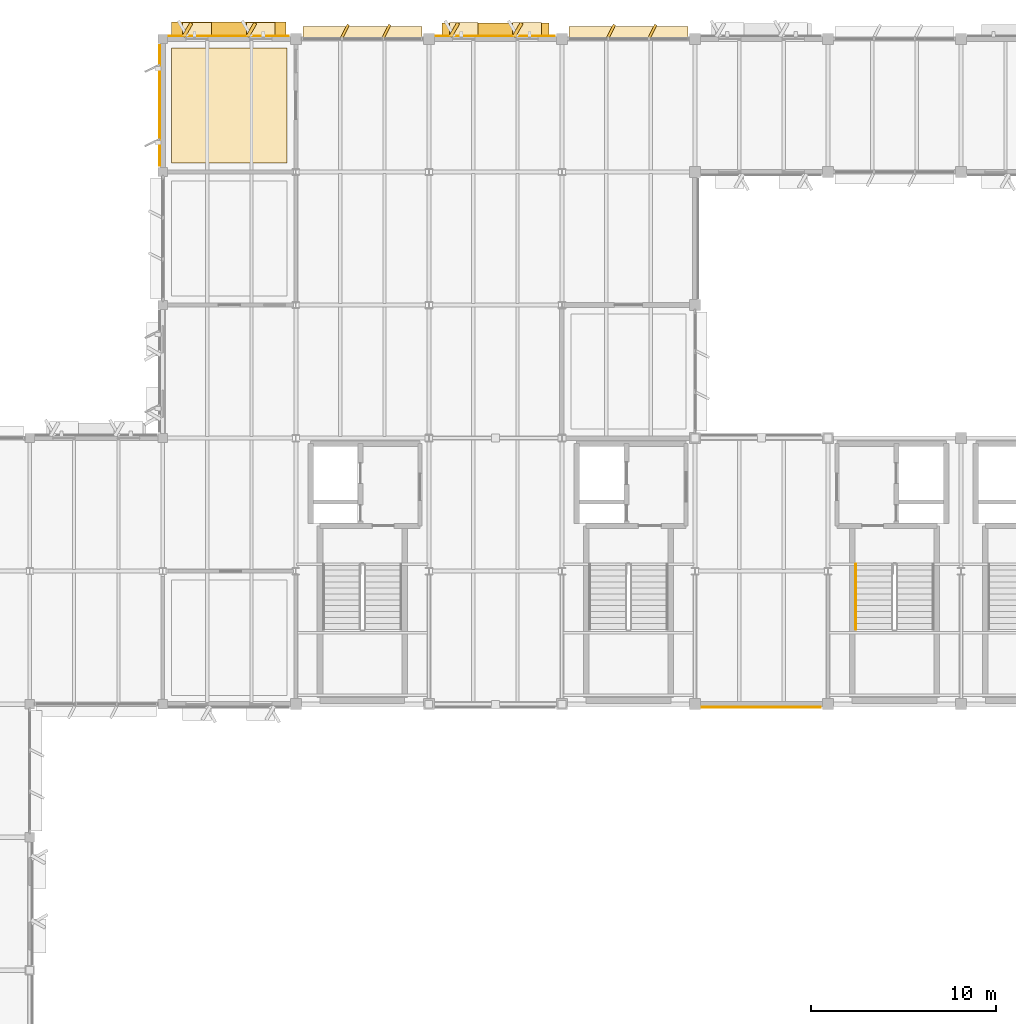
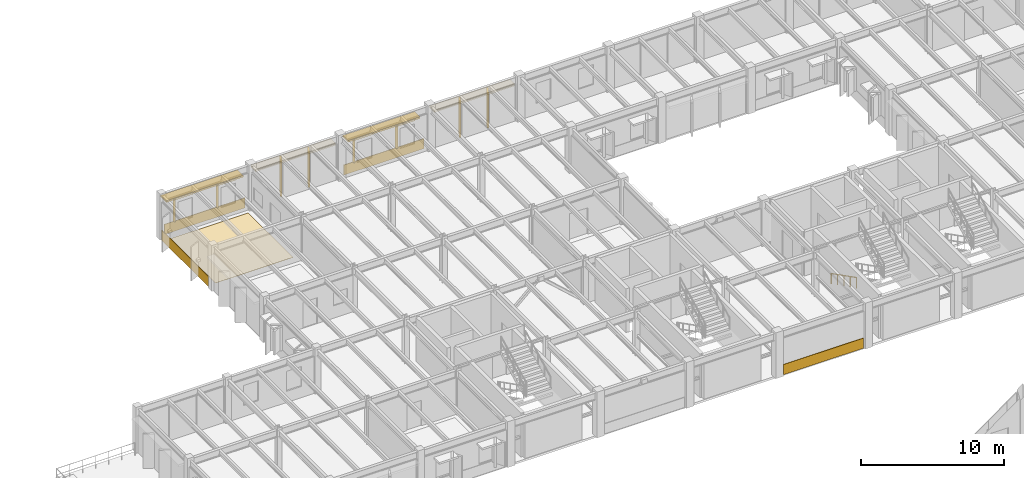
# One storey, part 79 of 82: 19 coverings, 2 shading devices, 1 railing.
"""IFC4 building model written with IfcOpenShell, lengths in metres."""

import ifcopenshell
import ifcopenshell.guid

model = None  # the IFC model being written
_history = None  # IfcOwnerHistory: only IFC2X3 demands one
_inside = {}  # id of a spatial element -> (the spatial element, [elements in it])
_under = {}  # id of a project, library or spatial element -> (it, [spatial elements below it])
_declared = {}  # id of a project -> (the project, [libraries it declares])
_typed = {}  # id of a type object -> (the type object, [elements of that type])
_made_of = {}  # id of a material, layer set ... -> (it, [elements and type objects made of it])


def new_model(schema):
    """Start an empty IFC model of exactly this schema.

    Asked for "IFC4X3", IfcOpenShell would pick the latest addendum, in which some entities
    have other attributes; the version numbers below select the first issue.
    IFC2X3 requires an IfcOwnerHistory on every rooted entity: one is made here for all.
    """
    global model, _history
    if schema == "IFC4X3":
        model = ifcopenshell.file(schema_version=(4, 3, 0, 0))
    else:
        model = ifcopenshell.file(schema=schema)
    _inside.clear()
    _under.clear()
    _declared.clear()
    _typed.clear()
    _made_of.clear()
    _history = None
    if model.schema == "IFC2X3":
        org = make("IfcOrganization", Name="unknown")
        user = make(
            "IfcPersonAndOrganization",
            ThePerson=make("IfcPerson", FamilyName="unknown"),
            TheOrganization=org,
        )
        app = make(
            "IfcApplication",
            ApplicationDeveloper=org,
            Version="unknown",
            ApplicationFullName="unknown",
            ApplicationIdentifier="unknown",
        )
        _history = make(
            "IfcOwnerHistory",
            OwningUser=user,
            OwningApplication=app,
            ChangeAction="ADDED",
            CreationDate=0,
        )
    return model


def make(cls, **values):
    """One entity of the class cls with the attributes given. An attribute that is None is left unset."""
    return model.create_entity(
        cls, **{name: value for name, value in values.items() if value is not None}
    )


def rooted(cls, **values):
    """An entity with a GlobalId (a new one), such as an element, a storey or a relation."""
    return make(cls, GlobalId=ifcopenshell.guid.new(), OwnerHistory=_history, **values)


def si_unit(unit_type, name, prefix=None):
    """IfcSIUnit, for example si_unit("LENGTHUNIT", "METRE", prefix="MILLI")."""
    return make("IfcSIUnit", UnitType=unit_type, Prefix=prefix, Name=name)


def assignment(units):
    """IfcUnitAssignment: the units of a project."""
    return None if units is None else make("IfcUnitAssignment", Units=units)


def point(xyz):
    """IfcCartesianPoint."""
    return None if xyz is None else make("IfcCartesianPoint", Coordinates=xyz)


def direction(xyz):
    """IfcDirection."""
    return None if xyz is None else make("IfcDirection", DirectionRatios=xyz)


def frame(location, z_axis=None, x_axis=None):
    """IfcAxis2Placement3D, a coordinate frame: its origin and axes. An axis left out is left unset."""
    return make(
        "IfcAxis2Placement3D",
        Location=point(location),
        Axis=direction(z_axis),
        RefDirection=direction(x_axis),
    )


def frame_2d(location, x_axis=None):
    """IfcAxis2Placement2D, a coordinate frame in the plane: its origin and x axis."""
    return make(
        "IfcAxis2Placement2D", Location=point(location), RefDirection=direction(x_axis)
    )


def origin():
    """The frame at (0, 0, 0) with its axes left unset."""
    return frame((0.0, 0.0, 0.0))


def origin_2d():
    """The frame at (0, 0) in the plane with its x axis left unset."""
    return frame_2d((0.0, 0.0))


def place(relative_to, where):
    """IfcLocalPlacement: puts the frame where relative to a parent placement (None: the world)."""
    return make(
        "IfcLocalPlacement", PlacementRelTo=relative_to, RelativePlacement=where
    )


def context(
    kind, dimensions, precision=None, world=None, true_north=None, identifier=None
):
    """IfcGeometricRepresentationContext, for example the 3D "Model" context."""
    return make(
        "IfcGeometricRepresentationContext",
        ContextIdentifier=identifier,
        ContextType=kind,
        CoordinateSpaceDimension=dimensions,
        Precision=precision,
        WorldCoordinateSystem=world,
        TrueNorth=true_north,
    )


def subcontext(parent, identifier, kind, view, scale=None):
    """IfcGeometricRepresentationSubContext, for example "Body" below "Model"."""
    return make(
        "IfcGeometricRepresentationSubContext",
        ContextIdentifier=identifier,
        ContextType=kind,
        ParentContext=parent,
        TargetScale=scale,
        TargetView=view,
    )


def project(units=None, contexts=None):
    """IfcProject with its units and contexts."""
    return rooted(
        "IfcProject",
        Name="project",
        RepresentationContexts=contexts,
        UnitsInContext=assignment(units),
    )


def spatial(cls, under=None, at=None, **own):
    """A site, building, storey or space (cls), placed at a placement, below another one or the project."""
    s = rooted(cls, ObjectPlacement=at, **own)
    if under is not None:
        _under.setdefault(under.id(), (under, []))[1].append(s)
    return s


def polyline(points):
    """IfcPolyline through the points."""
    return make("IfcPolyline", Points=[point(p) for p in points])


def profile(cls, at=None, kind="AREA", **sizes):
    """A parametric profile (cls). Its sizes go by their IFC names, for example OverallWidth=200.0."""
    return make(cls, ProfileType=kind, Position=at, **sizes)


def rectangle(**sizes):
    """IfcRectangleProfileDef."""
    return profile("IfcRectangleProfileDef", **sizes)


def circle(**sizes):
    """IfcCircleProfileDef."""
    return profile("IfcCircleProfileDef", **sizes)


def outline(outer, holes=None, kind="AREA"):
    """IfcArbitraryClosedProfileDef: a profile drawn as a closed curve; with holes, ...WithVoids."""
    if holes is None:
        return make("IfcArbitraryClosedProfileDef", ProfileType=kind, OuterCurve=outer)
    return make(
        "IfcArbitraryProfileDefWithVoids",
        ProfileType=kind,
        OuterCurve=outer,
        InnerCurves=holes,
    )


def extrude(swept, where, along, depth):
    """IfcExtrudedAreaSolid: the profile swept, set in the frame where, extruded along a direction by depth."""
    return make(
        "IfcExtrudedAreaSolid",
        SweptArea=swept,
        Position=where,
        ExtrudedDirection=direction(along),
        Depth=depth,
    )


def shape(context_of_items, identifier, shape_type, items):
    """IfcShapeRepresentation: the items that make up one representation, for example the "Body"."""
    return make(
        "IfcShapeRepresentation",
        ContextOfItems=context_of_items,
        RepresentationIdentifier=identifier,
        RepresentationType=shape_type,
        Items=items,
    )


def material(Name=None, Category=None):
    """IfcMaterial."""
    return make("IfcMaterial", Name=Name, Category=Category)


def layer(
    of_material, thickness, ventilated=None, Name=None, Category=None, Priority=None
):
    """IfcMaterialLayer: one layer of a wall or slab, of a material (None: an air gap)."""
    return make(
        "IfcMaterialLayer",
        Material=of_material,
        LayerThickness=thickness,
        IsVentilated=ventilated,
        Name=Name,
        Category=Category,
        Priority=Priority,
    )


def layer_set(layers, Name=None):
    """IfcMaterialLayerSet."""
    return make("IfcMaterialLayerSet", MaterialLayers=layers, LayerSetName=Name)


def made_of(thing, what):
    """Note that an element or type object is made of a material, layer set ...; save() writes the relation."""
    if what is not None:
        _made_of.setdefault(what.id(), (what, []))[1].append(thing)
    return thing


def type_object(cls, material=None, **own):
    """A type object (cls), such as IfcWallType, which elements share."""
    return made_of(rooted(cls, **own), material)


def element(
    cls,
    number,
    at=None,
    inside=None,
    cuts=None,
    type_object=None,
    material=None,
    context=None,
    identifier="Body",
    shape_type=None,
    held_by="IfcProductDefinitionShape",
    body=None,
    shapes=None,
    **own,
):
    """One element of the class cls, such as IfcWall. Its Tag is "e" and its number.

    at: its placement. inside: the storey or other place that contains it. cuts: it is an
    opening in that element (IfcRelVoidsElement). A single representation is given by context,
    identifier, shape_type and body (its items); several are given by shapes. held_by: the class
    of the entity that holds the representations. save() writes the other relations.
    """
    e = rooted(cls, Tag="e%d" % number, ObjectPlacement=at, **own)
    if body is not None:
        shapes = [shape(context, identifier, shape_type, body)]
    if shapes is not None:
        e.Representation = make(held_by, Representations=shapes)
    if inside is not None:
        _inside.setdefault(inside.id(), (inside, []))[1].append(e)
    if cuts is not None:
        rooted(
            "IfcRelVoidsElement", RelatingBuildingElement=cuts, RelatedOpeningElement=e
        )
    if type_object is not None:
        _typed.setdefault(type_object.id(), (type_object, []))[1].append(e)
    return made_of(e, material)


def aggregate(whole, parts):
    """IfcRelAggregates: a whole, such as a stair, and the parts it consists of."""
    return rooted("IfcRelAggregates", RelatingObject=whole, RelatedObjects=parts)


def save(model, path):
    """Write the relations noted so far, then the file.

    IfcRelAggregates (storeys below a building ...), IfcRelContainedInSpatialStructure (elements
    in a storey), IfcRelDefinesByType, IfcRelAssociatesMaterial and IfcRelDeclares: one each for
    every whole, place, type object, material and project.
    """
    for whole, parts in _under.values():
        aggregate(whole, parts)
    for where, things in _inside.values():
        rooted(
            "IfcRelContainedInSpatialStructure",
            RelatedElements=things,
            RelatingStructure=where,
        )
    for kind, things in _typed.values():
        rooted("IfcRelDefinesByType", RelatedObjects=things, RelatingType=kind)
    for what, things in _made_of.values():
        rooted("IfcRelAssociatesMaterial", RelatedObjects=things, RelatingMaterial=what)
    for by, libraries in _declared.values():
        rooted("IfcRelDeclares", RelatingContext=by, RelatedDefinitions=libraries)
    model.write(path)


model = new_model("IFC4")

# Units and contexts
model_context = context("Model", 3, precision=1e-05, world=origin(), true_north=direction((0.0, 1.0)))
body_context = subcontext(model_context, "Body", "Model", "MODEL_VIEW")
ifc_project = project(units=[si_unit("LENGTHUNIT", "METRE"), si_unit("AREAUNIT", "SQUARE_METRE"), si_unit("VOLUMEUNIT", "CUBIC_METRE"), si_unit("PLANEANGLEUNIT", "RADIAN"), si_unit("MASSUNIT", "GRAM", prefix="KILO")], contexts=[model_context])

# Site, building, storey
site_placement = place(None, origin())
site = spatial("IfcSite", under=ifc_project, at=site_placement, CompositionType="ELEMENT")
building_placement = place(site_placement, origin())
building = spatial("IfcBuilding", under=site, at=building_placement, Name="Sillqori Civic Hall", CompositionType="ELEMENT")
storey_placement = place(building_placement, frame((0.0, 0.0, 14.10009765625)))
storey = spatial("IfcBuildingStorey", under=building, at=storey_placement, Name="L04", CompositionType="ELEMENT", Elevation=14.10009765625)

# Coverings
ifc_material_1 = material(Name="Cochabamba Honed Limestone Cladding", Category="masonry")
ifc_layer_1 = layer(ifc_material_1, 0.044921875)
ifc_layer_set_1 = layer_set([ifc_layer_1], Name="Cochabamba Honed Limestone Cladding")
covering_type_1 = type_object("IfcCoveringType", Name="COV-CLAD-LIME", PredefinedType="CLADDING", material=ifc_layer_set_1)
covering_1_placement = place(storey_placement, frame((43.530029296875, 115.360107421875, 0.039794921875), z_axis=(0.0, 0.0, 1.0), x_axis=(1.0, 0.0, 0.0)))
element("IfcCovering", 1, at=covering_1_placement, inside=storey, type_object=covering_type_1, Name="L04 limestone spandrel cladding L04-06-15-N", PredefinedType="CLADDING", context=body_context, shape_type="SweptSolid", body=[
    extrude(rectangle(XDim=6.489990234375, YDim=0.044921875, at=frame_2d((3.2451171875, 0.0))), origin(), (0.0, 0.0, 1.0), 0.860107421875),
])
covering_2_placement = place(storey_placement, frame((44.325927734375, 115.320068359375, 0.829833984375), z_axis=(0.0, 0.0, 1.0), x_axis=(0.500062241894, 0.865989465428, 0.0)))
element("IfcCovering", 2, at=covering_2_placement, inside=storey, type_object=covering_type_1, Name="Sawtooth limestone angled reveal cheek L04-06-15-N.1", PredefinedType="CLADDING", context=body_context, shape_type="SweptSolid", body=[
    extrude(rectangle(XDim=0.85009765625, YDim=0.179931640625, at=frame_2d((0.425048828125, 0.0))), origin(), (0.0, 0.0, 1.0), 2.0),
])
covering_3_placement = place(storey_placement, frame((44.26611328125, 115.699951171875, 2.68994140625), z_axis=(0.0, 0.0, 1.0), x_axis=(1.0, 0.0, 0.0)))
element("IfcCovering", 3, at=covering_3_placement, inside=storey, type_object=covering_type_1, Name="Sawtooth limestone window hood L04-06-15-N.1", PredefinedType="CLADDING", context=body_context, shape_type="SweptSolid", body=[
    extrude(rectangle(XDim=1.559814453125, YDim=0.780029296875, at=frame_2d((0.77978515625, 0.0))), origin(), (0.0, 0.0, 1.0), 0.139892578125),
])
covering_4_placement = place(storey_placement, frame((47.783935546875, 115.320068359375, 0.829833984375), z_axis=(0.0, 0.0, 1.0), x_axis=(0.500062241894, 0.865989465428, 0.0)))
element("IfcCovering", 4, at=covering_4_placement, inside=storey, type_object=covering_type_1, Name="Sawtooth limestone angled reveal cheek L04-06-15-N.2", PredefinedType="CLADDING", context=body_context, shape_type="SweptSolid", body=[
    extrude(rectangle(XDim=0.85009765625, YDim=0.179931640625, at=frame_2d((0.425048828125, 0.0))), origin(), (0.0, 0.0, 1.0), 2.0),
])
covering_5_placement = place(storey_placement, frame((47.72412109375, 115.699951171875, 2.68994140625), z_axis=(0.0, 0.0, 1.0), x_axis=(1.0, 0.0, 0.0)))
element("IfcCovering", 5, at=covering_5_placement, inside=storey, type_object=covering_type_1, Name="Sawtooth limestone window hood L04-06-15-N.2", PredefinedType="CLADDING", context=body_context, shape_type="SweptSolid", body=[
    extrude(rectangle(XDim=1.559814453125, YDim=0.780029296875, at=frame_2d((0.77978515625, 0.0))), origin(), (0.0, 0.0, 1.0), 0.139892578125),
])
covering_6_placement = place(storey_placement, frame((43.0400390625, 108.330078125, 0.039794921875), z_axis=(0.0, 0.0, 1.0), x_axis=(0.0, 1.0, 0.0)))
element("IfcCovering", 6, at=covering_6_placement, inside=storey, type_object=covering_type_1, Name="L04 limestone spandrel cladding L04-06-15-W", PredefinedType="CLADDING", context=body_context, shape_type="SweptSolid", body=[
    extrude(rectangle(XDim=6.5400390625, YDim=0.044921875, at=frame_2d((3.27001953125, 0.0))), origin(), (0.0, 0.0, 1.0), 0.860107421875),
])
covering_7_placement = place(storey_placement, frame((50.780029296875, 115.52001953125, 2.93798828125), z_axis=(0.0, 0.0, 1.0), x_axis=(1.0, 0.0, 0.0)))
element("IfcCovering", 7, at=covering_7_placement, inside=storey, type_object=covering_type_1, Name="L04 curtain-wall limestone solar hood L04-07-15-N", PredefinedType="CLADDING", context=body_context, shape_type="SweptSolid", body=[
    extrude(rectangle(XDim=6.43994140625, YDim=0.679931640625, at=frame_2d((3.219970703125, 0.0))), origin(), (0.0, 0.0, 1.0), 0.179931640625),
])
for number, where, z_axis, x_axis, name in (
    (8, (52.8779296875, 115.25, 0.059814453125), (0.0, 0.0, 1.0), (0.447334902547, 0.894366527193, 0.0), "L04 curtain-wall angled stone fin L04-07-15-N.1"),
    (9, (55.1220703125, 115.25, 0.059814453125), (0.0, 0.0, 1.0), (0.44709226377, 0.894487846579, 0.0), "L04 curtain-wall angled stone fin L04-07-15-N.2"),
):
    element("IfcCovering", number, at=place(storey_placement, frame(where, z_axis=z_axis, x_axis=x_axis)), inside=storey, type_object=covering_type_1, Name=name, PredefinedType="CLADDING", context=body_context, shape_type="SweptSolid", body=[
        extrude(rectangle(XDim=0.804931640625, YDim=0.139892578125, at=frame_2d((0.40234375, 0.0))), origin(), (0.0, 0.0, 1.0), 2.878173828125),
    ])
covering_8_placement = place(storey_placement, frame((57.97998046875, 115.360107421875, 0.039794921875), z_axis=(0.0, 0.0, 1.0), x_axis=(1.0, 0.0, 0.0)))
element("IfcCovering", 10, at=covering_8_placement, inside=storey, type_object=covering_type_1, Name="L04 limestone spandrel cladding L04-08-15-N", PredefinedType="CLADDING", context=body_context, shape_type="SweptSolid", body=[
    extrude(rectangle(XDim=6.43994140625, YDim=0.044921875, at=frame_2d((3.219970703125, 0.0))), origin(), (0.0, 0.0, 1.0), 0.860107421875),
])
covering_9_placement = place(storey_placement, frame((58.763916015625, 115.320068359375, 0.829833984375), z_axis=(0.0, 0.0, 1.0), x_axis=(0.500062241894, 0.865989465428, 0.0)))
element("IfcCovering", 11, at=covering_9_placement, inside=storey, type_object=covering_type_1, Name="Sawtooth limestone angled reveal cheek L04-08-15-N.1", PredefinedType="CLADDING", context=body_context, shape_type="SweptSolid", body=[
    extrude(rectangle(XDim=0.85009765625, YDim=0.179931640625, at=frame_2d((0.425048828125, 0.0))), origin(), (0.0, 0.0, 1.0), 2.0),
])
covering_10_placement = place(storey_placement, frame((58.7041015625, 115.699951171875, 2.68994140625), z_axis=(0.0, 0.0, 1.0), x_axis=(1.0, 0.0, 0.0)))
element("IfcCovering", 12, at=covering_10_placement, inside=storey, type_object=covering_type_1, Name="Sawtooth limestone window hood L04-08-15-N.1", PredefinedType="CLADDING", context=body_context, shape_type="SweptSolid", body=[
    extrude(rectangle(XDim=1.559814453125, YDim=0.780029296875, at=frame_2d((0.77978515625, 0.0))), origin(), (0.0, 0.0, 1.0), 0.139892578125),
])
covering_11_placement = place(storey_placement, frame((62.196044921875, 115.320068359375, 0.829833984375), z_axis=(0.0, 0.0, 1.0), x_axis=(0.500062241894, 0.865989465428, 0.0)))
element("IfcCovering", 13, at=covering_11_placement, inside=storey, type_object=covering_type_1, Name="Sawtooth limestone angled reveal cheek L04-08-15-N.2", PredefinedType="CLADDING", context=body_context, shape_type="SweptSolid", body=[
    extrude(rectangle(XDim=0.85009765625, YDim=0.179931640625, at=frame_2d((0.425048828125, 0.0))), origin(), (0.0, 0.0, 1.0), 2.0),
])
covering_12_placement = place(storey_placement, frame((62.135986328125, 115.699951171875, 2.68994140625), z_axis=(0.0, 0.0, 1.0), x_axis=(1.0, 0.0, 0.0)))
element("IfcCovering", 14, at=covering_12_placement, inside=storey, type_object=covering_type_1, Name="Sawtooth limestone window hood L04-08-15-N.2", PredefinedType="CLADDING", context=body_context, shape_type="SweptSolid", body=[
    extrude(rectangle(XDim=1.56005859375, YDim=0.780029296875, at=frame_2d((0.780029296875, 0.0))), origin(), (0.0, 0.0, 1.0), 0.139892578125),
])
covering_13_placement = place(storey_placement, frame((65.179931640625, 115.52001953125, 2.93798828125), z_axis=(0.0, 0.0, 1.0), x_axis=(1.0, 0.0, 0.0)))
element("IfcCovering", 15, at=covering_13_placement, inside=storey, type_object=covering_type_1, Name="L04 curtain-wall limestone solar hood L04-09-15-N", PredefinedType="CLADDING", context=body_context, shape_type="SweptSolid", body=[
    extrude(rectangle(XDim=6.440185546875, YDim=0.679931640625, at=frame_2d((3.22021484375, 0.0))), origin(), (0.0, 0.0, 1.0), 0.179931640625),
])
for number, where, z_axis, x_axis, name in (
    (16, (67.278076171875, 115.25, 0.059814453125), (0.0, 0.0, 1.0), (0.44709226377, 0.894487846579, 0.0), "L04 curtain-wall angled stone fin L04-09-15-N.1"),
    (17, (69.52197265625, 115.25, 0.059814453125), (0.0, 0.0, 1.0), (0.447334902547, 0.894366527193, 0.0), "L04 curtain-wall angled stone fin L04-09-15-N.2"),
):
    element("IfcCovering", number, at=place(storey_placement, frame(where, z_axis=z_axis, x_axis=x_axis)), inside=storey, type_object=covering_type_1, Name=name, PredefinedType="CLADDING", context=body_context, shape_type="SweptSolid", body=[
        extrude(rectangle(XDim=0.804931640625, YDim=0.139892578125, at=frame_2d((0.40234375, 0.0))), origin(), (0.0, 0.0, 1.0), 2.878173828125),
    ])
covering_14_placement = place(storey_placement, frame((78.820068359375, 79.0400390625, 0.039794921875), z_axis=(0.0, 0.0, 1.0), x_axis=(-1.0, 0.0, 0.0)))
element("IfcCovering", 18, at=covering_14_placement, inside=storey, type_object=covering_type_1, Name="L04 limestone spandrel cladding L04-10-11-S", PredefinedType="CLADDING", context=body_context, shape_type="SweptSolid", body=[
    extrude(rectangle(XDim=6.440185546875, YDim=0.044921875, at=frame_2d((3.22021484375, 0.0))), origin(), (0.0, 0.0, 1.0), 0.860107421875),
])
ifc_material_2 = material(Name="Engineered Tajibo Hardwood Flooring", Category="wood")
ifc_layer_2 = layer(ifc_material_2, 0.02587890625)
ifc_layer_set_2 = layer_set([ifc_layer_2], Name="Engineered Tajibo Hardwood Flooring")
covering_type_2 = type_object("IfcCoveringType", Name="COV-FLR-PRQ", PredefinedType="FLOORING", material=ifc_layer_set_2)
covering_15_placement = place(storey_placement, origin())
element("IfcCovering", 19, at=covering_15_placement, inside=storey, type_object=covering_type_2, Name="Human Resources and Civil Service Training Hall floor finish", PredefinedType="FLOORING", context=body_context, shape_type="SweptSolid", body=[
    extrude(outline(polyline([(43.679931640625, 108.47998046875), (49.919921875, 108.47998046875), (49.919921875, 114.719970703125), (43.679931640625, 114.719970703125), (43.679931640625, 108.47998046875)])), origin(), (0.0, 0.0, 1.0), 0.02587890625),
])

# Railing
ifc_material_3 = material(Name="Brushed Stainless Steel 316 Handrail", Category="steel")
ifc_layer_3 = layer(ifc_material_3, 0.044921875)
ifc_layer_set_3 = layer_set([ifc_layer_3], Name="Brushed Stainless Steel 316 Handrail")
railing_type = type_object("IfcRailingType", Name="RLG-CORE-092", PredefinedType="HANDRAIL", material=ifc_layer_set_3)
railing_placement = place(storey_placement, frame((80.7099609375, 86.77001953125, 0.162353515625)))
element("IfcRailing", 20, at=railing_placement, inside=storey, type_object=railing_type, Name="L04 ST-07 stair handrail 1", PredefinedType="HANDRAIL", context=body_context, shape_type="SweptSolid", body=[
    extrude(circle(Radius=0.02392578125, at=origin_2d()), frame((0.0, 0.0, 0.8759765625), z_axis=(0.0, -0.891614535321, 0.452795230103), x_axis=(1.0, 0.0, 0.0)), (0.0, 0.0, 1.0), 3.947998046875),
    extrude(circle(Radius=0.02099609375, at=origin_2d()), origin(), (0.0, 0.0, 1.0), 0.851806640625),
    extrude(circle(Radius=0.02099609375, at=origin_2d()), frame((0.0, -0.8798828125, 0.44677734375)), (0.0, 0.0, 1.0), 0.851806640625),
    extrude(circle(Radius=0.02099609375, at=origin_2d()), frame((0.0, -1.760009765625, 0.893798828125)), (0.0, 0.0, 1.0), 0.851806640625),
    extrude(circle(Radius=0.02099609375, at=origin_2d()), frame((0.0, -2.64013671875, 1.3408203125)), (0.0, 0.0, 1.0), 0.851806640625),
    extrude(circle(Radius=0.02099609375, at=origin_2d()), frame((0.0, -3.52001953125, 1.78759765625)), (0.0, 0.0, 1.0), 0.851806640625),
])

# Shading devices
ifc_material_4 = material(Name="Anodized Aluminium Solar Control Louvre", Category="aluminium")
shading_device_type_1 = type_object("IfcShadingDeviceType", Name="SHD-HOOD-580", PredefinedType="JALOUSIE", material=ifc_material_4)
shading_device_1_placement = place(storey_placement, frame((61.199951171875, 115.699951171875, 2.7197265625), z_axis=(0.0, 0.0, 1.0), x_axis=(1.0, 0.0, 0.0)))
element("IfcShadingDevice", 21, at=shading_device_1_placement, inside=storey, type_object=shading_device_type_1, Name="L04 north solar hood L04-08-15-N", PredefinedType="JALOUSIE", context=body_context, shape_type="SweptSolid", body=[
    extrude(rectangle(XDim=5.800048828125, YDim=0.75, at=origin_2d()), origin(), (0.0, 0.0, 1.0), 0.139892578125),
])
shading_device_type_2 = type_object("IfcShadingDeviceType", Name="SHD-HOOD-620", PredefinedType="JALOUSIE", material=ifc_material_4)
shading_device_2_placement = place(storey_placement, frame((46.77490234375, 115.72509765625, 2.7197265625), z_axis=(0.0, 0.0, 1.0), x_axis=(1.0, 0.0, 0.0)))
element("IfcShadingDevice", 22, at=shading_device_2_placement, inside=storey, type_object=shading_device_type_2, Name="L04 north solar hood L04-06-15-N", PredefinedType="JALOUSIE", context=body_context, shape_type="SweptSolid", body=[
    extrude(rectangle(XDim=6.199951171875, YDim=0.800048828125, at=origin_2d()), origin(), (0.0, 0.0, 1.0), 0.139892578125),
])

save(model, "model.ifc")
